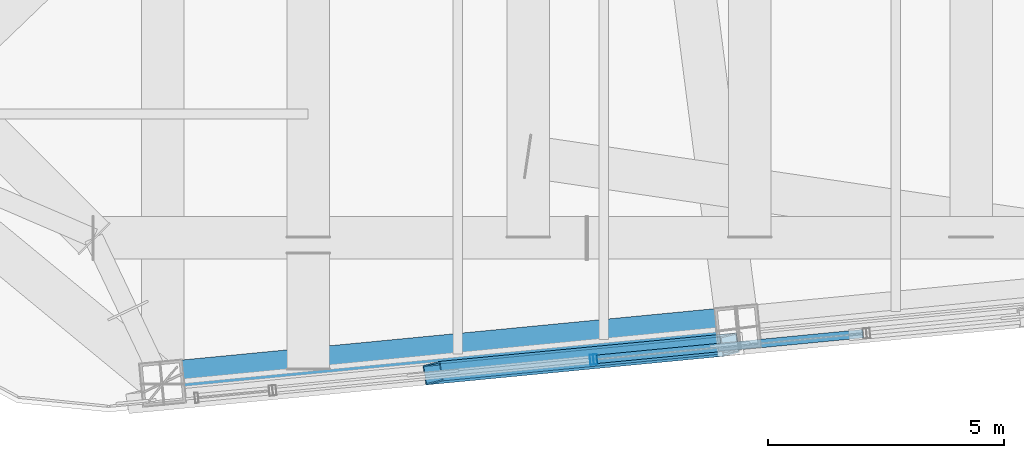
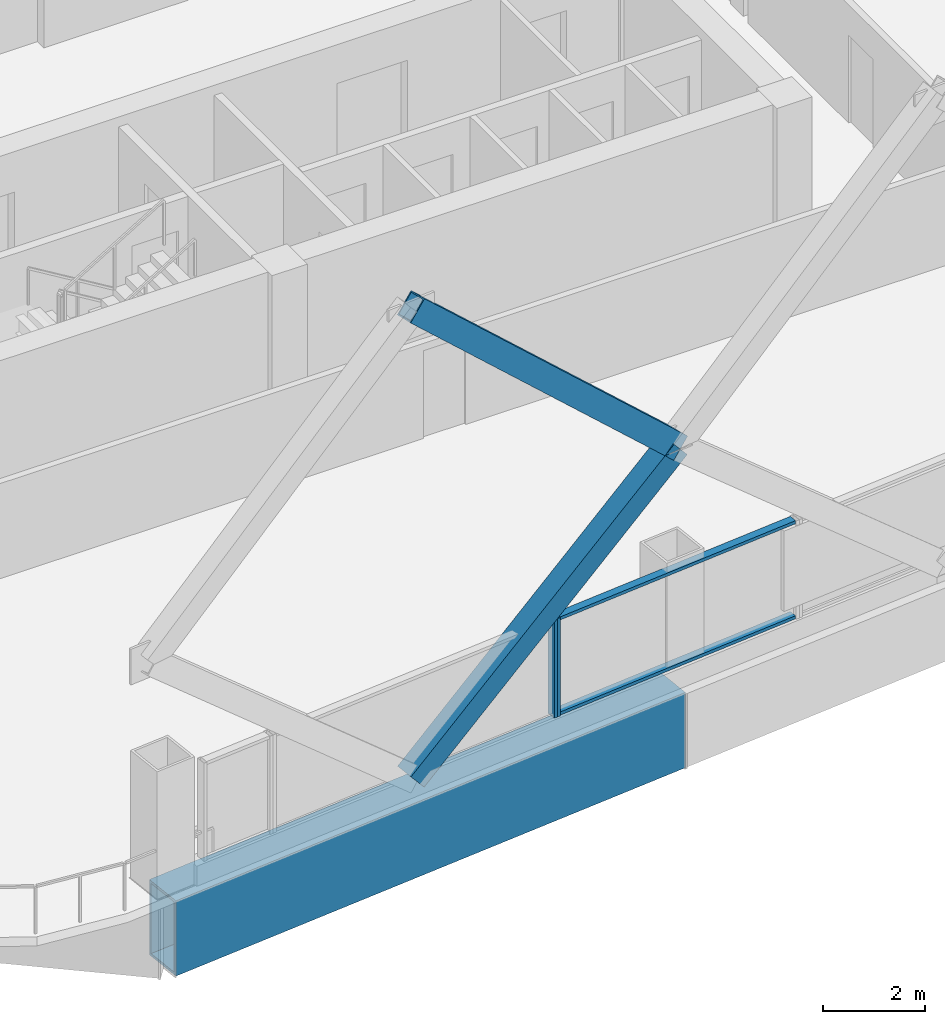
# One storey, part 6 of 42: 6 members, 1 beam, 2 elements without a shape of their own.
"""IFC4 building model written with IfcOpenShell, lengths in metres."""

from ifc_helpers import new_model, si_unit, direction, frame, origin, origin_2d, place, context, subcontext, project, spatial, hollow_rectangle, extrude, material, layer, layer_set, material_profile, profile_set, type_object, element, aggregate, save


model = new_model("IFC4")

# Units and contexts
model_context = context("Model", 3, precision=1e-05, world=origin(), true_north=direction((0.0, 1.0)))
body_context = subcontext(model_context, "Body", "Model", "MODEL_VIEW")
ifc_project = project(units=[si_unit("LENGTHUNIT", "METRE"), si_unit("AREAUNIT", "SQUARE_METRE"), si_unit("VOLUMEUNIT", "CUBIC_METRE"), si_unit("PLANEANGLEUNIT", "RADIAN"), si_unit("MASSUNIT", "GRAM", prefix="KILO")], contexts=[model_context])

# Site, building, storey
site_placement = place(None, origin())
site = spatial("IfcSite", under=ifc_project, at=site_placement, CompositionType="ELEMENT")
building_placement = place(site_placement, origin())
building = spatial("IfcBuilding", under=site, at=building_placement, Name="Qhalaya Broadcast Tower", CompositionType="ELEMENT")
storey_placement = place(building_placement, frame((0.0, 0.0, 69.449951171875)))
storey = spatial("IfcBuildingStorey", under=building, at=storey_placement, Name="L19", CompositionType="ELEMENT", Elevation=69.449951171875)

# Beam
ifc_material_1 = material(Name="Structural Steel ASTM A572 Grade 50", Category="steel")
ifc_material_profile_1 = material_profile(ifc_material_1, hollow_rectangle(XDim=0.89990234375, YDim=1.800048828125, WallThickness=0.06005859375, at=origin_2d()), Name="BOX 900x1800x60")
ifc_profile_set_1 = profile_set([ifc_material_profile_1], Name="Structural Steel ASTM A572 Grade 50")
beam_type = type_object("IfcBeamType", Name="Block Cantilever Transfer Box Girder TG1", PredefinedType="USERDEFINED", material=ifc_profile_set_1)
beam_placement = place(storey_placement, frame((-12.46533203125, -22.212646484375, -1.119873046875), z_axis=(0.99539563662, 0.095851586307, 0.0), x_axis=(-0.095851586307, 0.99539563662, 0.0)))
element("IfcBeam", 1, at=beam_placement, inside=storey, type_object=beam_type, Name="L19 TG1 L19-SPR-01", ObjectType="GIRDER", PredefinedType="USERDEFINED", context=body_context, shape_type="SweptSolid", body=[
    extrude(hollow_rectangle(XDim=0.89990234375, YDim=1.800048828125, WallThickness=0.06005859375, at=origin_2d()), origin(), (0.0, 0.0, 1.0), 12.2666015625),
])

# Members
ifc_material_profile_2 = material_profile(ifc_material_1, hollow_rectangle(XDim=0.419921875, YDim=0.550048828125, WallThickness=0.028076171875, at=origin_2d()), Name="BOX 420x550x28")
ifc_profile_set_2 = profile_set([ifc_material_profile_2], Name="Structural Steel ASTM A572 Grade 50")
member_type_1 = type_object("IfcMemberType", Name="Exoskeleton Diamond Diagonal Mid-Low EX2", PredefinedType="BRACE", material=ifc_profile_set_2)
member_1_placement = place(storey_placement, frame((-6.725830078125, -22.00146484375, 0.360107421875), z_axis=(0.758637209183, 0.073037413912, 0.647406457345), x_axis=(-0.157155783857, 0.98486851796, 0.073048353381)))
element("IfcMember", 2, at=member_1_placement, inside=storey, type_object=member_type_1, Name="B2 Exoskeleton Diamond Brace S1-D2", PredefinedType="BRACE", context=body_context, shape_type="SweptSolid", body=[
    extrude(hollow_rectangle(XDim=0.419921875, YDim=0.550048828125, WallThickness=0.028076171875, at=origin_2d()), origin(), (0.0, 0.0, 1.0), 8.309814453125),
])
member_2_placement = place(storey_placement, frame((-0.421630859375, -21.39453125, 5.739990234375), z_axis=(-0.730619555004, -0.070340028415, 0.679151931638), x_axis=(0.160184449091, -0.984576934745, 0.070350563873)))
element("IfcMember", 3, at=member_2_placement, inside=storey, type_object=member_type_1, Name="B2 Exoskeleton Diamond Brace S1-D4", PredefinedType="BRACE", context=body_context, shape_type="SweptSolid", body=[
    extrude(hollow_rectangle(XDim=0.419921875, YDim=0.550048828125, WallThickness=0.028076171875, at=origin_2d()), origin(), (0.0, 0.0, 1.0), 8.628662109375),
])

# Curtain wall, member
ifc_material_2 = material(Name="Fired Architectural Terracotta", Category="masonry")
ifc_layer_1 = layer(ifc_material_2, 0.219970703125, Name="Fired Architectural Terracotta")
ifc_layer_set_1 = layer_set([ifc_layer_1], Name="Fired Architectural Terracotta")
curtain_wall_type_1 = type_object("IfcCurtainWallType", Name="Block-Cap Unitised Terracotta Spandrel Wall CW-07", PredefinedType="NOTDEFINED", material=ifc_layer_set_1)
curtain_wall_1_placement = place(storey_placement, origin())
curtain_wall_1 = element("IfcCurtainWall", 4, at=curtain_wall_1_placement, inside=storey, type_object=curtain_wall_type_1, Name="L19 Unitised Curtain Wall L19-CW-S2", PredefinedType="NOTDEFINED")
ifc_material_3 = material(Name="Anodised Aluminium 6063-T6", Category="aluminium")
ifc_material_profile_3 = material_profile(ifc_material_3, hollow_rectangle(XDim=0.074951171875, YDim=0.219970703125, WallThickness=0.00390625, at=origin_2d()), Name="ALU-MUL 75x220x4")
ifc_profile_set_3 = profile_set([ifc_material_profile_3], Name="Anodised Aluminium 6063-T6")
member_type_2 = type_object("IfcMemberType", Name="Unitised Curtain-Wall Mullion M01", PredefinedType="MULLION", material=ifc_profile_set_3)
member_3_placement = place(storey_placement, frame((-3.353515625, -21.717041015625, 0.47998046875), z_axis=(0.0, 0.0, 1.0), x_axis=(0.995395819861, 0.095849683373, 0.0)))
member_3 = element("IfcMember", 5, at=member_3_placement, type_object=member_type_2, Name="CW-07 mullion 2", PredefinedType="MULLION", context=body_context, shape_type="SweptSolid", body=[
    extrude(hollow_rectangle(XDim=0.074951171875, YDim=0.219970703125, WallThickness=0.00390625, at=origin_2d()), origin(), (0.0, 0.0, 1.0), 2.35009765625),
])
aggregate(curtain_wall_1, [member_3])

# Curtain wall, members
ifc_material_4 = material(Name="Solar-Control Low-E Triple Glazing", Category="glass")
ifc_layer_2 = layer(ifc_material_4, 0.219970703125, Name="Solar-Control Low-E Triple Glazing")
ifc_layer_set_2 = layer_set([ifc_layer_2], Name="Solar-Control Low-E Triple Glazing")
curtain_wall_type_2 = type_object("IfcCurtainWallType", Name="Even-Block 4-Storey Double-Module Curtain Wall CW-03", PredefinedType="NOTDEFINED", material=ifc_layer_set_2)
curtain_wall_2_placement = place(storey_placement, origin())
curtain_wall_2 = element("IfcCurtainWall", 6, at=curtain_wall_2_placement, inside=storey, type_object=curtain_wall_type_2, Name="L19 Unitised Curtain Wall L19-CW-S3", PredefinedType="NOTDEFINED")
member_4_placement = place(storey_placement, frame((-3.27880859375, -21.709716796875, 0.47998046875), z_axis=(0.0, 0.0, 1.0), x_axis=(0.995396371729, 0.095843952075, 0.0)))
member_4 = element("IfcMember", 7, at=member_4_placement, type_object=member_type_2, Name="CW-03 mullion 1", PredefinedType="MULLION", context=body_context, shape_type="SweptSolid", body=[
    extrude(hollow_rectangle(XDim=0.074951171875, YDim=0.219970703125, WallThickness=0.00390625, at=origin_2d()), origin(), (0.0, 0.0, 1.0), 2.35009765625),
])
ifc_material_profile_4 = material_profile(ifc_material_3, hollow_rectangle(XDim=0.074951171875, YDim=0.179931640625, WallThickness=0.00390625, at=origin_2d()), Name="ALU-TRN 75x180x4")
ifc_profile_set_4 = profile_set([ifc_material_profile_4], Name="Anodised Aluminium 6063-T6")
member_type_3 = type_object("IfcMemberType", Name="Unitised Curtain-Wall Transom T01", PredefinedType="USERDEFINED", material=ifc_profile_set_4)
member_5_placement = place(storey_placement, frame((-3.241455078125, -21.706298828125, 0.517578125), z_axis=(0.995396483295, 0.095842793389, 0.0), x_axis=(0.0, 0.0, 1.0)))
member_5 = element("IfcMember", 8, at=member_5_placement, type_object=member_type_3, Name="CW-03 transom 1.1", ObjectType="TRANSOM", PredefinedType="USERDEFINED", context=body_context, shape_type="SweptSolid", body=[
    extrude(hollow_rectangle(XDim=0.074951171875, YDim=0.179931640625, WallThickness=0.00390625, at=origin_2d()), origin(), (0.0, 0.0, 1.0), 5.6728515625),
])
member_6_placement = place(storey_placement, frame((-3.241455078125, -21.706298828125, 2.79248046875), z_axis=(0.995396483295, 0.095842793389, 0.0), x_axis=(0.0, 0.0, 1.0)))
member_6 = element("IfcMember", 9, at=member_6_placement, type_object=member_type_3, Name="CW-03 transom 1.2", ObjectType="TRANSOM", PredefinedType="USERDEFINED", context=body_context, shape_type="SweptSolid", body=[
    extrude(hollow_rectangle(XDim=0.074951171875, YDim=0.179931640625, WallThickness=0.00390625, at=origin_2d()), origin(), (0.0, 0.0, 1.0), 5.6728515625),
])
aggregate(curtain_wall_2, [member_4, member_5, member_6])

save(model, "model.ifc")
